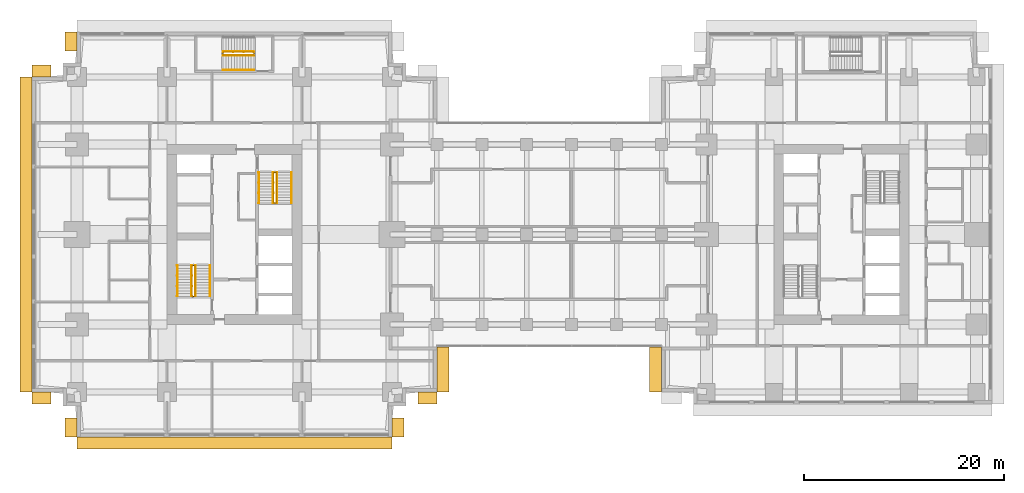
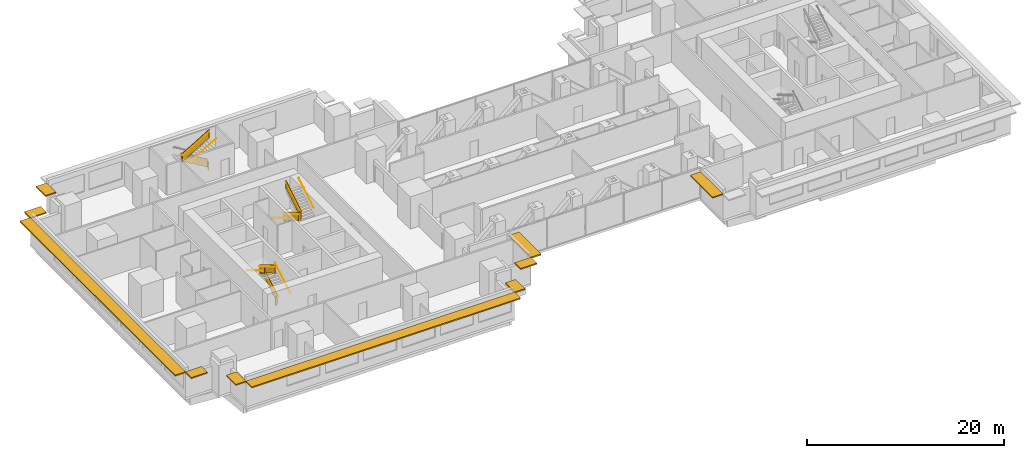
# One storey, part 14 of 16: 14 railings, 10 shading devices.
"""IFC4 building model written with IfcOpenShell, lengths in metres."""

from ifc_helpers import new_model, si_unit, direction, frame, origin, origin_2d, place, context, subcontext, project, spatial, polyline, rectangle, circle, outline, extrude, material, layer, layer_set, type_object, element, save


model = new_model("IFC4")

# Units and contexts
model_context = context("Model", 3, precision=1e-05, world=origin(), true_north=direction((0.0, 1.0)))
body_context = subcontext(model_context, "Body", "Model", "MODEL_VIEW")
ifc_project = project(units=[si_unit("LENGTHUNIT", "METRE"), si_unit("AREAUNIT", "SQUARE_METRE"), si_unit("VOLUMEUNIT", "CUBIC_METRE"), si_unit("PLANEANGLEUNIT", "RADIAN"), si_unit("MASSUNIT", "GRAM", prefix="KILO")], contexts=[model_context])

# Site, building, storey
site_placement = place(None, origin())
site = spatial("IfcSite", under=ifc_project, at=site_placement, CompositionType="ELEMENT")
building_placement = place(site_placement, origin())
building = spatial("IfcBuilding", under=site, at=building_placement, Name="Namib Vertical Campus", CompositionType="ELEMENT")
storey_placement = place(building_placement, frame((0.0, 0.0, 129.0)))
storey = spatial("IfcBuildingStorey", under=building, at=storey_placement, Name="L30", CompositionType="ELEMENT", Elevation=129.0)

# Railings
ifc_material_1 = material(Name="Steel handrail", Category="steel")
railing_type_1 = type_object("IfcRailingType", Name="Handrail 900", PredefinedType="HANDRAIL", material=ifc_material_1)
railing_1_placement = place(storey_placement, frame((17.800048828125, 14.050048828125, 0.166748046875)))
element("IfcRailing", 1, at=railing_1_placement, inside=storey, type_object=railing_type_1, Name="Handrail HR1 A-S1 L30 1", PredefinedType="HANDRAIL", context=body_context, shape_type="SweptSolid", body=[
    extrude(circle(Radius=0.02392578125, at=origin_2d()), frame((0.0, 0.0, 0.8759765625), z_axis=(0.0, 0.859290745958, 0.51148745235), x_axis=(-1.0, 0.0, 0.0)), (0.0, 0.0, 1.0), 3.584228515625),
    extrude(circle(Radius=0.008056640625, at=origin_2d()), frame((0.0, 0.0, 0.8759765625), z_axis=(1.0, 0.0, 0.0), x_axis=(0.0, 0.0, 1.0)), (0.0, 0.0, 1.0), 0.050048828125),
    extrude(circle(Radius=0.008056640625, at=origin_2d()), frame((0.0, 1.026611328125, 1.48681640625), z_axis=(1.0, 0.0, 0.0), x_axis=(0.0, 0.0, 1.0)), (0.0, 0.0, 1.0), 0.050048828125),
    extrude(circle(Radius=0.008056640625, at=origin_2d()), frame((0.0, 2.05322265625, 2.09814453125), z_axis=(1.0, 0.0, 0.0), x_axis=(0.0, 0.0, 1.0)), (0.0, 0.0, 1.0), 0.050048828125),
    extrude(circle(Radius=0.008056640625, at=origin_2d()), frame((0.0, 3.079833984375, 2.708984375), z_axis=(1.0, 0.0, 0.0), x_axis=(0.0, 0.0, 1.0)), (0.0, 0.0, 1.0), 0.050048828125),
])
railing_2_placement = place(storey_placement, frame((14.550048828125, 17.1298828125, 2.166748046875)))
element("IfcRailing", 2, at=railing_2_placement, inside=storey, type_object=railing_type_1, Name="Handrail HR1 A-S1 L30 2", PredefinedType="HANDRAIL", context=body_context, shape_type="SweptSolid", body=[
    extrude(circle(Radius=0.02392578125, at=origin_2d()), frame((0.0, 0.0, 0.8759765625), z_axis=(0.0, -0.859290745958, 0.51148745235), x_axis=(1.0, 0.0, 0.0)), (0.0, 0.0, 1.0), 3.584228515625),
    extrude(circle(Radius=0.008056640625, at=origin_2d()), frame((0.0, 0.0, 0.8759765625), z_axis=(-1.0, 0.0, 0.0), x_axis=(0.0, 0.0, 1.0)), (0.0, 0.0, 1.0), 0.050048828125),
    extrude(circle(Radius=0.008056640625, at=origin_2d()), frame((0.0, -1.026611328125, 1.48681640625), z_axis=(-1.0, 0.0, 0.0), x_axis=(0.0, 0.0, 1.0)), (0.0, 0.0, 1.0), 0.050048828125),
    extrude(circle(Radius=0.008056640625, at=origin_2d()), frame((0.0, -2.05322265625, 2.09814453125), z_axis=(-1.0, 0.0, 0.0), x_axis=(0.0, 0.0, 1.0)), (0.0, 0.0, 1.0), 0.050048828125),
    extrude(circle(Radius=0.008056640625, at=origin_2d()), frame((0.0, -3.079833984375, 2.708984375), z_axis=(-1.0, 0.0, 0.0), x_axis=(0.0, 0.0, 1.0)), (0.0, 0.0, 1.0), 0.050048828125),
])
railing_3_placement = place(storey_placement, frame((16.375, 14.050048828125, 0.166748046875)))
element("IfcRailing", 3, at=railing_3_placement, inside=storey, type_object=railing_type_1, Name="Handrail HR1 A-S1 L30 1 at the well", PredefinedType="HANDRAIL", context=body_context, shape_type="SweptSolid", body=[
    extrude(circle(Radius=0.02392578125, at=origin_2d()), frame((0.0, 0.0, 0.8759765625), z_axis=(0.0, 0.859290745958, 0.51148745235), x_axis=(-1.0, 0.0, 0.0)), (0.0, 0.0, 1.0), 3.584228515625),
    extrude(circle(Radius=0.008056640625, at=origin_2d()), frame((0.0, 0.0, 0.8759765625), z_axis=(-1.0, 0.0, 0.0), x_axis=(0.0, 0.0, 1.0)), (0.0, 0.0, 1.0), 0.0400390625),
    extrude(circle(Radius=0.008056640625, at=origin_2d()), frame((0.0, 1.026611328125, 1.48681640625), z_axis=(-1.0, 0.0, 0.0), x_axis=(0.0, 0.0, 1.0)), (0.0, 0.0, 1.0), 0.0400390625),
    extrude(circle(Radius=0.008056640625, at=origin_2d()), frame((0.0, 2.05322265625, 2.09814453125), z_axis=(-1.0, 0.0, 0.0), x_axis=(0.0, 0.0, 1.0)), (0.0, 0.0, 1.0), 0.0400390625),
    extrude(circle(Radius=0.008056640625, at=origin_2d()), frame((0.0, 3.079833984375, 2.708984375), z_axis=(-1.0, 0.0, 0.0), x_axis=(0.0, 0.0, 1.0)), (0.0, 0.0, 1.0), 0.0400390625),
])
railing_4_placement = place(storey_placement, frame((15.97509765625, 17.1298828125, 2.166748046875)))
element("IfcRailing", 4, at=railing_4_placement, inside=storey, type_object=railing_type_1, Name="Handrail HR1 A-S1 L30 2 at the well", PredefinedType="HANDRAIL", context=body_context, shape_type="SweptSolid", body=[
    extrude(circle(Radius=0.02392578125, at=origin_2d()), frame((0.0, 0.0, 0.8759765625), z_axis=(0.0, -0.859290745958, 0.51148745235), x_axis=(1.0, 0.0, 0.0)), (0.0, 0.0, 1.0), 3.584228515625),
    extrude(circle(Radius=0.008056640625, at=origin_2d()), frame((0.0, 0.0, 0.8759765625), z_axis=(1.0, 0.0, 0.0), x_axis=(0.0, 0.0, 1.0)), (0.0, 0.0, 1.0), 0.0400390625),
    extrude(circle(Radius=0.008056640625, at=origin_2d()), frame((0.0, -1.026611328125, 1.48681640625), z_axis=(1.0, 0.0, 0.0), x_axis=(0.0, 0.0, 1.0)), (0.0, 0.0, 1.0), 0.0400390625),
    extrude(circle(Radius=0.008056640625, at=origin_2d()), frame((0.0, -2.05322265625, 2.09814453125), z_axis=(1.0, 0.0, 0.0), x_axis=(0.0, 0.0, 1.0)), (0.0, 0.0, 1.0), 0.0400390625),
    extrude(circle(Radius=0.008056640625, at=origin_2d()), frame((0.0, -3.079833984375, 2.708984375), z_axis=(1.0, 0.0, 0.0), x_axis=(0.0, 0.0, 1.0)), (0.0, 0.0, 1.0), 0.0400390625),
])
railing_5_placement = place(storey_placement, frame((22.699951171875, 26.449951171875, 0.166748046875)))
element("IfcRailing", 5, at=railing_5_placement, inside=storey, type_object=railing_type_1, Name="Handrail HR1 A-S2 L30 1", PredefinedType="HANDRAIL", context=body_context, shape_type="SweptSolid", body=[
    extrude(circle(Radius=0.02392578125, at=origin_2d()), frame((0.0, 0.0, 0.8759765625), z_axis=(0.0, -0.859290745958, 0.51148745235), x_axis=(1.0, 0.0, 0.0)), (0.0, 0.0, 1.0), 3.584228515625),
    extrude(circle(Radius=0.008056640625, at=origin_2d()), frame((0.0, 0.0, 0.8759765625), z_axis=(-1.0, 0.0, 0.0), x_axis=(0.0, 0.0, 1.0)), (0.0, 0.0, 1.0), 0.050048828125),
    extrude(circle(Radius=0.008056640625, at=origin_2d()), frame((0.0, -1.026611328125, 1.48681640625), z_axis=(-1.0, 0.0, 0.0), x_axis=(0.0, 0.0, 1.0)), (0.0, 0.0, 1.0), 0.050048828125),
    extrude(circle(Radius=0.008056640625, at=origin_2d()), frame((0.0, -2.05322265625, 2.09814453125), z_axis=(-1.0, 0.0, 0.0), x_axis=(0.0, 0.0, 1.0)), (0.0, 0.0, 1.0), 0.050048828125),
    extrude(circle(Radius=0.008056640625, at=origin_2d()), frame((0.0, -3.079833984375, 2.708984375), z_axis=(-1.0, 0.0, 0.0), x_axis=(0.0, 0.0, 1.0)), (0.0, 0.0, 1.0), 0.050048828125),
])
railing_6_placement = place(storey_placement, frame((25.949951171875, 23.3701171875, 2.166748046875)))
element("IfcRailing", 6, at=railing_6_placement, inside=storey, type_object=railing_type_1, Name="Handrail HR1 A-S2 L30 2", PredefinedType="HANDRAIL", context=body_context, shape_type="SweptSolid", body=[
    extrude(circle(Radius=0.02392578125, at=origin_2d()), frame((0.0, 0.0, 0.8759765625), z_axis=(0.0, 0.859290745958, 0.51148745235), x_axis=(-1.0, 0.0, 0.0)), (0.0, 0.0, 1.0), 3.584228515625),
    extrude(circle(Radius=0.008056640625, at=origin_2d()), frame((0.0, 0.0, 0.8759765625), z_axis=(1.0, 0.0, 0.0), x_axis=(0.0, 0.0, 1.0)), (0.0, 0.0, 1.0), 0.050048828125),
    extrude(circle(Radius=0.008056640625, at=origin_2d()), frame((0.0, 1.026611328125, 1.48681640625), z_axis=(1.0, 0.0, 0.0), x_axis=(0.0, 0.0, 1.0)), (0.0, 0.0, 1.0), 0.050048828125),
    extrude(circle(Radius=0.008056640625, at=origin_2d()), frame((0.0, 2.05322265625, 2.09814453125), z_axis=(1.0, 0.0, 0.0), x_axis=(0.0, 0.0, 1.0)), (0.0, 0.0, 1.0), 0.050048828125),
    extrude(circle(Radius=0.008056640625, at=origin_2d()), frame((0.0, 3.079833984375, 2.708984375), z_axis=(1.0, 0.0, 0.0), x_axis=(0.0, 0.0, 1.0)), (0.0, 0.0, 1.0), 0.050048828125),
])
railing_7_placement = place(storey_placement, frame((24.125, 26.449951171875, 0.166748046875)))
element("IfcRailing", 7, at=railing_7_placement, inside=storey, type_object=railing_type_1, Name="Handrail HR1 A-S2 L30 1 at the well", PredefinedType="HANDRAIL", context=body_context, shape_type="SweptSolid", body=[
    extrude(circle(Radius=0.02392578125, at=origin_2d()), frame((0.0, 0.0, 0.8759765625), z_axis=(0.0, -0.859290745958, 0.51148745235), x_axis=(1.0, 0.0, 0.0)), (0.0, 0.0, 1.0), 3.584228515625),
    extrude(circle(Radius=0.008056640625, at=origin_2d()), frame((0.0, 0.0, 0.8759765625), z_axis=(1.0, 0.0, 0.0), x_axis=(0.0, 0.0, 1.0)), (0.0, 0.0, 1.0), 0.0400390625),
    extrude(circle(Radius=0.008056640625, at=origin_2d()), frame((0.0, -1.026611328125, 1.48681640625), z_axis=(1.0, 0.0, 0.0), x_axis=(0.0, 0.0, 1.0)), (0.0, 0.0, 1.0), 0.0400390625),
    extrude(circle(Radius=0.008056640625, at=origin_2d()), frame((0.0, -2.05322265625, 2.09814453125), z_axis=(1.0, 0.0, 0.0), x_axis=(0.0, 0.0, 1.0)), (0.0, 0.0, 1.0), 0.0400390625),
    extrude(circle(Radius=0.008056640625, at=origin_2d()), frame((0.0, -3.079833984375, 2.708984375), z_axis=(1.0, 0.0, 0.0), x_axis=(0.0, 0.0, 1.0)), (0.0, 0.0, 1.0), 0.0400390625),
])
railing_8_placement = place(storey_placement, frame((24.52490234375, 23.3701171875, 2.166748046875)))
element("IfcRailing", 8, at=railing_8_placement, inside=storey, type_object=railing_type_1, Name="Handrail HR1 A-S2 L30 2 at the well", PredefinedType="HANDRAIL", context=body_context, shape_type="SweptSolid", body=[
    extrude(circle(Radius=0.02392578125, at=origin_2d()), frame((0.0, 0.0, 0.8759765625), z_axis=(0.0, 0.859290745958, 0.51148745235), x_axis=(-1.0, 0.0, 0.0)), (0.0, 0.0, 1.0), 3.584228515625),
    extrude(circle(Radius=0.008056640625, at=origin_2d()), frame((0.0, 0.0, 0.8759765625), z_axis=(-1.0, 0.0, 0.0), x_axis=(0.0, 0.0, 1.0)), (0.0, 0.0, 1.0), 0.0400390625),
    extrude(circle(Radius=0.008056640625, at=origin_2d()), frame((0.0, 1.026611328125, 1.48681640625), z_axis=(-1.0, 0.0, 0.0), x_axis=(0.0, 0.0, 1.0)), (0.0, 0.0, 1.0), 0.0400390625),
    extrude(circle(Radius=0.008056640625, at=origin_2d()), frame((0.0, 2.05322265625, 2.09814453125), z_axis=(-1.0, 0.0, 0.0), x_axis=(0.0, 0.0, 1.0)), (0.0, 0.0, 1.0), 0.0400390625),
    extrude(circle(Radius=0.008056640625, at=origin_2d()), frame((0.0, 3.079833984375, 2.708984375), z_axis=(-1.0, 0.0, 0.0), x_axis=(0.0, 0.0, 1.0)), (0.0, 0.0, 1.0), 0.0400390625),
])
railing_9_placement = place(storey_placement, frame((19.1201171875, 36.699951171875, 2.166748046875)))
element("IfcRailing", 9, at=railing_9_placement, inside=storey, type_object=railing_type_1, Name="Handrail HR1 A-S3 L30 2", PredefinedType="HANDRAIL", context=body_context, shape_type="SweptSolid", body=[
    extrude(circle(Radius=0.02392578125, at=origin_2d()), frame((0.0, 0.0, 0.8759765625), z_axis=(0.859290745958, 0.0, 0.51148745235), x_axis=(0.0, 1.0, 0.0)), (0.0, 0.0, 1.0), 3.584228515625),
    extrude(circle(Radius=0.008056640625, at=origin_2d()), frame((0.0, 0.0, 0.8759765625), z_axis=(0.0, -1.0, 0.0), x_axis=(0.0, 0.0, 1.0)), (0.0, 0.0, 1.0), 0.050048828125),
    extrude(circle(Radius=0.008056640625, at=origin_2d()), frame((1.026611328125, 0.0, 1.48681640625), z_axis=(0.0, -1.0, 0.0), x_axis=(0.0, 0.0, 1.0)), (0.0, 0.0, 1.0), 0.050048828125),
    extrude(circle(Radius=0.008056640625, at=origin_2d()), frame((2.05322265625, 0.0, 2.09814453125), z_axis=(0.0, -1.0, 0.0), x_axis=(0.0, 0.0, 1.0)), (0.0, 0.0, 1.0), 0.050048828125),
    extrude(circle(Radius=0.008056640625, at=origin_2d()), frame((3.079833984375, 0.0, 2.708984375), z_axis=(0.0, -1.0, 0.0), x_axis=(0.0, 0.0, 1.0)), (0.0, 0.0, 1.0), 0.050048828125),
])
railing_10_placement = place(storey_placement, frame((22.199951171875, 38.52490234375, 0.166748046875)))
element("IfcRailing", 10, at=railing_10_placement, inside=storey, type_object=railing_type_1, Name="Handrail HR1 A-S3 L30 1 at the well", PredefinedType="HANDRAIL", context=body_context, shape_type="SweptSolid", body=[
    extrude(circle(Radius=0.02392578125, at=origin_2d()), frame((0.0, 0.0, 0.8759765625), z_axis=(-0.859290745958, 0.0, 0.51148745235), x_axis=(0.0, -1.0, 0.0)), (0.0, 0.0, 1.0), 3.584228515625),
    extrude(circle(Radius=0.008056640625, at=origin_2d()), frame((0.0, 0.0, 0.8759765625), z_axis=(0.0, -1.0, 0.0), x_axis=(0.0, 0.0, 1.0)), (0.0, 0.0, 1.0), 0.0400390625),
    extrude(circle(Radius=0.008056640625, at=origin_2d()), frame((-1.026611328125, 0.0, 1.48681640625), z_axis=(0.0, -1.0, 0.0), x_axis=(0.0, 0.0, 1.0)), (0.0, 0.0, 1.0), 0.0400390625),
    extrude(circle(Radius=0.008056640625, at=origin_2d()), frame((-2.05322265625, 0.0, 2.09814453125), z_axis=(0.0, -1.0, 0.0), x_axis=(0.0, 0.0, 1.0)), (0.0, 0.0, 1.0), 0.0400390625),
    extrude(circle(Radius=0.008056640625, at=origin_2d()), frame((-3.079833984375, 0.0, 2.708984375), z_axis=(0.0, -1.0, 0.0), x_axis=(0.0, 0.0, 1.0)), (0.0, 0.0, 1.0), 0.0400390625),
])
railing_11_placement = place(storey_placement, frame((19.1201171875, 38.125, 2.166748046875)))
element("IfcRailing", 11, at=railing_11_placement, inside=storey, type_object=railing_type_1, Name="Handrail HR1 A-S3 L30 2 at the well", PredefinedType="HANDRAIL", context=body_context, shape_type="SweptSolid", body=[
    extrude(circle(Radius=0.02392578125, at=origin_2d()), frame((0.0, 0.0, 0.8759765625), z_axis=(0.859290745958, 0.0, 0.51148745235), x_axis=(0.0, 1.0, 0.0)), (0.0, 0.0, 1.0), 3.584228515625),
    extrude(circle(Radius=0.008056640625, at=origin_2d()), frame((0.0, 0.0, 0.8759765625), z_axis=(0.0, 1.0, 0.0), x_axis=(0.0, 0.0, 1.0)), (0.0, 0.0, 1.0), 0.0400390625),
    extrude(circle(Radius=0.008056640625, at=origin_2d()), frame((1.026611328125, 0.0, 1.48681640625), z_axis=(0.0, 1.0, 0.0), x_axis=(0.0, 0.0, 1.0)), (0.0, 0.0, 1.0), 0.0400390625),
    extrude(circle(Radius=0.008056640625, at=origin_2d()), frame((2.05322265625, 0.0, 2.09814453125), z_axis=(0.0, 1.0, 0.0), x_axis=(0.0, 0.0, 1.0)), (0.0, 0.0, 1.0), 0.0400390625),
    extrude(circle(Radius=0.008056640625, at=origin_2d()), frame((3.079833984375, 0.0, 2.708984375), z_axis=(0.0, 1.0, 0.0), x_axis=(0.0, 0.0, 1.0)), (0.0, 0.0, 1.0), 0.0400390625),
])
ifc_material_2 = material(Name="Steel balustrade", Category="steel")
railing_type_2 = type_object("IfcRailingType", Name="Stair guard 1100", PredefinedType="GUARDRAIL", material=ifc_material_2)
railing_12_placement = place(storey_placement, frame((16.02490234375, 14.050048828125, 0.0)))
element("IfcRailing", 12, at=railing_12_placement, inside=storey, type_object=railing_type_2, Name="Stair guard GR1 A-S1 L30", PredefinedType="GUARDRAIL", context=body_context, shape_type="SweptSolid", body=[
    extrude(circle(Radius=0.02392578125, at=origin_2d()), frame((0.0, 0.0, 1.076171875), z_axis=(1.0, 0.0, 0.0), x_axis=(0.0, 1.0, 0.0)), (0.0, 0.0, 1.0), 0.300048828125),
    extrude(outline(polyline([(0.02099609375, 0.050048828125), (0.279052734375, 0.050048828125), (0.279052734375, 1.052001953125), (0.02099609375, 1.052001953125), (0.02099609375, 0.050048828125)])), frame((0.0, 0.010009765625, 0.0), z_axis=(0.0, -1.0, 0.0), x_axis=(1.0, 0.0, 0.0)), (0.0, 0.0, 1.0), 0.02001953125),
    extrude(circle(Radius=0.02392578125, at=origin_2d()), frame((0.300048828125, 0.0, 1.076171875), z_axis=(0.0, 0.0, 1.0), x_axis=(1.0, 0.0, 0.0)), (0.0, 0.0, 1.0), 0.166748046875),
    extrude(circle(Radius=0.02392578125, at=origin_2d()), frame((0.300048828125, 0.0, 1.24267578125), z_axis=(0.0, 0.859290745958, 0.51148745235), x_axis=(-1.0, 0.0, 0.0)), (0.0, 0.0, 1.0), 3.584228515625),
    extrude(outline(polyline([(0.02099609375, 0.0625), (3.058837890625, 1.870849609375), (3.058837890625, 2.872802734375), (0.02099609375, 1.064453125), (0.02099609375, 0.0625)])), frame((0.2900390625, 0.0, 0.166748046875), z_axis=(1.0, 0.0, 0.0), x_axis=(0.0, 1.0, 0.0)), (0.0, 0.0, 1.0), 0.02001953125),
    extrude(circle(Radius=0.02392578125, at=origin_2d()), frame((0.300048828125, 3.079833984375, 3.076171875), z_axis=(-1.0, 0.0, 0.0), x_axis=(0.0, -1.0, 0.0)), (0.0, 0.0, 1.0), 0.300048828125),
    extrude(outline(polyline([(0.02099609375, 0.050048828125), (0.279052734375, 0.050048828125), (0.279052734375, 1.052001953125), (0.02099609375, 1.052001953125), (0.02099609375, 0.050048828125)])), frame((0.300048828125, 3.06982421875, 2.0), z_axis=(0.0, 1.0, 0.0), x_axis=(-1.0, 0.0, 0.0)), (0.0, 0.0, 1.0), 0.02001953125),
    extrude(circle(Radius=0.02392578125, at=origin_2d()), frame((0.0, 3.079833984375, 3.076171875), z_axis=(0.0, 0.0, 1.0), x_axis=(1.0, 0.0, 0.0)), (0.0, 0.0, 1.0), 0.166748046875),
    extrude(circle(Radius=0.02392578125, at=origin_2d()), frame((0.0, 3.079833984375, 3.24267578125), z_axis=(0.0, -0.859290745958, 0.51148745235), x_axis=(1.0, 0.0, 0.0)), (0.0, 0.0, 1.0), 3.584228515625),
    extrude(outline(polyline([(0.02099609375, 0.0625), (3.058837890625, 1.870849609375), (3.058837890625, 2.872802734375), (0.02099609375, 1.064453125), (0.02099609375, 0.0625)])), frame((0.010009765625, 3.079833984375, 2.166748046875), z_axis=(-1.0, 0.0, 0.0), x_axis=(0.0, -1.0, 0.0)), (0.0, 0.0, 1.0), 0.02001953125),
    extrude(circle(Radius=0.02392578125, at=origin_2d()), frame((0.0, 0.0, 5.076171875), z_axis=(0.0, -1.0, 0.0), x_axis=(1.0, 0.0, 0.0)), (0.0, 0.0, 1.0), 0.050048828125),
    extrude(outline(polyline([(0.02099609375, 0.050048828125), (0.029052734375, 0.050048828125), (0.029052734375, 1.052001953125), (0.02099609375, 1.052001953125), (0.02099609375, 0.050048828125)])), frame((0.010009765625, 0.0, 4.0), z_axis=(-1.0, 0.0, 0.0), x_axis=(0.0, -1.0, 0.0)), (0.0, 0.0, 1.0), 0.02001953125),
    extrude(circle(Radius=0.02099609375, at=origin_2d()), origin(), (0.0, 0.0, 1.0), 1.052001953125),
    extrude(circle(Radius=0.02099609375, at=origin_2d()), frame((0.300048828125, 0.0, 0.166748046875)), (0.0, 0.0, 1.0), 1.052001953125),
    extrude(circle(Radius=0.02099609375, at=origin_2d()), frame((0.300048828125, 1.026611328125, 0.666748046875)), (0.0, 0.0, 1.0), 1.1630859375),
    extrude(circle(Radius=0.02099609375, at=origin_2d()), frame((0.300048828125, 2.05322265625, 1.33349609375)), (0.0, 0.0, 1.0), 1.107421875),
    extrude(circle(Radius=0.02099609375, at=origin_2d()), frame((0.300048828125, 3.079833984375, 2.0)), (0.0, 0.0, 1.0), 1.052001953125),
    extrude(circle(Radius=0.02099609375, at=origin_2d()), frame((0.0, 3.079833984375, 2.166748046875)), (0.0, 0.0, 1.0), 1.052001953125),
    extrude(circle(Radius=0.02099609375, at=origin_2d()), frame((0.0, 2.05322265625, 2.666748046875)), (0.0, 0.0, 1.0), 1.1630859375),
    extrude(circle(Radius=0.02099609375, at=origin_2d()), frame((0.0, 1.026611328125, 3.33349609375)), (0.0, 0.0, 1.0), 1.107421875),
    extrude(circle(Radius=0.02099609375, at=origin_2d()), frame((0.0, 0.0, 4.0)), (0.0, 0.0, 1.0), 1.052001953125),
    extrude(circle(Radius=0.02099609375, at=origin_2d()), frame((0.0, -0.050048828125, 4.0)), (0.0, 0.0, 1.0), 1.052001953125),
])
railing_13_placement = place(storey_placement, frame((24.47509765625, 26.449951171875, 0.0)))
element("IfcRailing", 13, at=railing_13_placement, inside=storey, type_object=railing_type_2, Name="Stair guard GR1 A-S2 L30", PredefinedType="GUARDRAIL", context=body_context, shape_type="SweptSolid", body=[
    extrude(circle(Radius=0.02392578125, at=origin_2d()), frame((0.0, 0.0, 1.076171875), z_axis=(-1.0, 0.0, 0.0), x_axis=(0.0, -1.0, 0.0)), (0.0, 0.0, 1.0), 0.300048828125),
    extrude(outline(polyline([(0.02099609375, 0.050048828125), (0.279052734375, 0.050048828125), (0.279052734375, 1.052001953125), (0.02099609375, 1.052001953125), (0.02099609375, 0.050048828125)])), frame((0.0, -0.010009765625, 0.0), z_axis=(0.0, 1.0, 0.0), x_axis=(-1.0, 0.0, 0.0)), (0.0, 0.0, 1.0), 0.02001953125),
    extrude(circle(Radius=0.02392578125, at=origin_2d()), frame((-0.300048828125, 0.0, 1.076171875), z_axis=(0.0, 0.0, 1.0), x_axis=(1.0, 0.0, 0.0)), (0.0, 0.0, 1.0), 0.166748046875),
    extrude(circle(Radius=0.02392578125, at=origin_2d()), frame((-0.300048828125, 0.0, 1.24267578125), z_axis=(0.0, -0.859290745958, 0.51148745235), x_axis=(1.0, 0.0, 0.0)), (0.0, 0.0, 1.0), 3.584228515625),
    extrude(outline(polyline([(0.02099609375, 0.0625), (3.058837890625, 1.870849609375), (3.058837890625, 2.872802734375), (0.02099609375, 1.064453125), (0.02099609375, 0.0625)])), frame((-0.2900390625, 0.0, 0.166748046875), z_axis=(-1.0, 0.0, 0.0), x_axis=(0.0, -1.0, 0.0)), (0.0, 0.0, 1.0), 0.02001953125),
    extrude(circle(Radius=0.02392578125, at=origin_2d()), frame((-0.300048828125, -3.079833984375, 3.076171875), z_axis=(1.0, 0.0, 0.0), x_axis=(0.0, 1.0, 0.0)), (0.0, 0.0, 1.0), 0.300048828125),
    extrude(outline(polyline([(0.02099609375, 0.050048828125), (0.279052734375, 0.050048828125), (0.279052734375, 1.052001953125), (0.02099609375, 1.052001953125), (0.02099609375, 0.050048828125)])), frame((-0.300048828125, -3.06982421875, 2.0), z_axis=(0.0, -1.0, 0.0), x_axis=(1.0, 0.0, 0.0)), (0.0, 0.0, 1.0), 0.02001953125),
    extrude(circle(Radius=0.02392578125, at=origin_2d()), frame((0.0, -3.079833984375, 3.076171875), z_axis=(0.0, 0.0, 1.0), x_axis=(1.0, 0.0, 0.0)), (0.0, 0.0, 1.0), 0.166748046875),
    extrude(circle(Radius=0.02392578125, at=origin_2d()), frame((0.0, -3.079833984375, 3.24267578125), z_axis=(0.0, 0.859290745958, 0.51148745235), x_axis=(-1.0, 0.0, 0.0)), (0.0, 0.0, 1.0), 3.584228515625),
    extrude(outline(polyline([(0.02099609375, 0.0625), (3.058837890625, 1.870849609375), (3.058837890625, 2.872802734375), (0.02099609375, 1.064453125), (0.02099609375, 0.0625)])), frame((-0.010009765625, -3.079833984375, 2.166748046875), z_axis=(1.0, 0.0, 0.0), x_axis=(0.0, 1.0, 0.0)), (0.0, 0.0, 1.0), 0.02001953125),
    extrude(circle(Radius=0.02392578125, at=origin_2d()), frame((0.0, 0.0, 5.076171875), z_axis=(0.0, 1.0, 0.0), x_axis=(-1.0, 0.0, 0.0)), (0.0, 0.0, 1.0), 0.050048828125),
    extrude(outline(polyline([(0.02099609375, 0.050048828125), (0.029052734375, 0.050048828125), (0.029052734375, 1.052001953125), (0.02099609375, 1.052001953125), (0.02099609375, 0.050048828125)])), frame((-0.010009765625, 0.0, 4.0), z_axis=(1.0, 0.0, 0.0), x_axis=(0.0, 1.0, 0.0)), (0.0, 0.0, 1.0), 0.02001953125),
    extrude(circle(Radius=0.02099609375, at=origin_2d()), origin(), (0.0, 0.0, 1.0), 1.052001953125),
    extrude(circle(Radius=0.02099609375, at=origin_2d()), frame((-0.300048828125, 0.0, 0.166748046875)), (0.0, 0.0, 1.0), 1.052001953125),
    extrude(circle(Radius=0.02099609375, at=origin_2d()), frame((-0.300048828125, -1.026611328125, 0.666748046875)), (0.0, 0.0, 1.0), 1.1630859375),
    extrude(circle(Radius=0.02099609375, at=origin_2d()), frame((-0.300048828125, -2.05322265625, 1.33349609375)), (0.0, 0.0, 1.0), 1.107421875),
    extrude(circle(Radius=0.02099609375, at=origin_2d()), frame((-0.300048828125, -3.079833984375, 2.0)), (0.0, 0.0, 1.0), 1.052001953125),
    extrude(circle(Radius=0.02099609375, at=origin_2d()), frame((0.0, -3.079833984375, 2.166748046875)), (0.0, 0.0, 1.0), 1.052001953125),
    extrude(circle(Radius=0.02099609375, at=origin_2d()), frame((0.0, -2.05322265625, 2.666748046875)), (0.0, 0.0, 1.0), 1.1630859375),
    extrude(circle(Radius=0.02099609375, at=origin_2d()), frame((0.0, -1.026611328125, 3.33349609375)), (0.0, 0.0, 1.0), 1.107421875),
    extrude(circle(Radius=0.02099609375, at=origin_2d()), frame((0.0, 0.0, 4.0)), (0.0, 0.0, 1.0), 1.052001953125),
    extrude(circle(Radius=0.02099609375, at=origin_2d()), frame((0.0, 0.050048828125, 4.0)), (0.0, 0.0, 1.0), 1.052001953125),
])
railing_14_placement = place(storey_placement, frame((22.199951171875, 38.175048828125, 0.0)))
element("IfcRailing", 14, at=railing_14_placement, inside=storey, type_object=railing_type_2, Name="Stair guard GR1 A-S3 L30", PredefinedType="GUARDRAIL", context=body_context, shape_type="SweptSolid", body=[
    extrude(circle(Radius=0.02392578125, at=origin_2d()), frame((0.0, 0.0, 1.076171875), z_axis=(0.0, 1.0, 0.0), x_axis=(-1.0, 0.0, 0.0)), (0.0, 0.0, 1.0), 0.300048828125),
    extrude(outline(polyline([(0.02099609375, 0.050048828125), (0.279052734375, 0.050048828125), (0.279052734375, 1.052001953125), (0.02099609375, 1.052001953125), (0.02099609375, 0.050048828125)])), frame((-0.010009765625, 0.0, 0.0), z_axis=(1.0, 0.0, 0.0), x_axis=(0.0, 1.0, 0.0)), (0.0, 0.0, 1.0), 0.02001953125),
    extrude(circle(Radius=0.02392578125, at=origin_2d()), frame((0.0, 0.300048828125, 1.076171875), z_axis=(0.0, 0.0, 1.0), x_axis=(1.0, 0.0, 0.0)), (0.0, 0.0, 1.0), 0.166748046875),
    extrude(circle(Radius=0.02392578125, at=origin_2d()), frame((0.0, 0.300048828125, 1.24267578125), z_axis=(-0.859290745958, 0.0, 0.51148745235), x_axis=(0.0, -1.0, 0.0)), (0.0, 0.0, 1.0), 3.584228515625),
    extrude(outline(polyline([(0.02099609375, 0.0625), (3.058837890625, 1.870849609375), (3.058837890625, 2.872802734375), (0.02099609375, 1.064453125), (0.02099609375, 0.0625)])), frame((0.0, 0.2900390625, 0.166748046875), z_axis=(0.0, 1.0, 0.0), x_axis=(-1.0, 0.0, 0.0)), (0.0, 0.0, 1.0), 0.02001953125),
    extrude(circle(Radius=0.02392578125, at=origin_2d()), frame((-3.079833984375, 0.300048828125, 3.076171875), z_axis=(0.0, -1.0, 0.0), x_axis=(1.0, 0.0, 0.0)), (0.0, 0.0, 1.0), 0.300048828125),
    extrude(outline(polyline([(0.02099609375, 0.050048828125), (0.279052734375, 0.050048828125), (0.279052734375, 1.052001953125), (0.02099609375, 1.052001953125), (0.02099609375, 0.050048828125)])), frame((-3.06982421875, 0.300048828125, 2.0), z_axis=(-1.0, 0.0, 0.0), x_axis=(0.0, -1.0, 0.0)), (0.0, 0.0, 1.0), 0.02001953125),
    extrude(circle(Radius=0.02392578125, at=origin_2d()), frame((-3.079833984375, 0.0, 3.076171875), z_axis=(0.0, 0.0, 1.0), x_axis=(1.0, 0.0, 0.0)), (0.0, 0.0, 1.0), 0.166748046875),
    extrude(circle(Radius=0.02392578125, at=origin_2d()), frame((-3.079833984375, 0.0, 3.24267578125), z_axis=(0.859290745958, 0.0, 0.51148745235), x_axis=(0.0, 1.0, 0.0)), (0.0, 0.0, 1.0), 3.584228515625),
    extrude(outline(polyline([(0.02099609375, 0.0625), (3.058837890625, 1.870849609375), (3.058837890625, 2.872802734375), (0.02099609375, 1.064453125), (0.02099609375, 0.0625)])), frame((-3.079833984375, 0.010009765625, 2.166748046875), z_axis=(0.0, -1.0, 0.0), x_axis=(1.0, 0.0, 0.0)), (0.0, 0.0, 1.0), 0.02001953125),
    extrude(circle(Radius=0.02392578125, at=origin_2d()), frame((0.0, 0.0, 5.076171875), z_axis=(1.0, 0.0, 0.0), x_axis=(0.0, 1.0, 0.0)), (0.0, 0.0, 1.0), 0.050048828125),
    extrude(outline(polyline([(0.02099609375, 0.050048828125), (0.029052734375, 0.050048828125), (0.029052734375, 1.052001953125), (0.02099609375, 1.052001953125), (0.02099609375, 0.050048828125)])), frame((0.0, 0.010009765625, 4.0), z_axis=(0.0, -1.0, 0.0), x_axis=(1.0, 0.0, 0.0)), (0.0, 0.0, 1.0), 0.02001953125),
    extrude(circle(Radius=0.02099609375, at=origin_2d()), origin(), (0.0, 0.0, 1.0), 1.052001953125),
    extrude(circle(Radius=0.02099609375, at=origin_2d()), frame((0.0, 0.300048828125, 0.166748046875)), (0.0, 0.0, 1.0), 1.052001953125),
    extrude(circle(Radius=0.02099609375, at=origin_2d()), frame((-1.026611328125, 0.300048828125, 0.666748046875)), (0.0, 0.0, 1.0), 1.1630859375),
    extrude(circle(Radius=0.02099609375, at=origin_2d()), frame((-2.05322265625, 0.300048828125, 1.33349609375)), (0.0, 0.0, 1.0), 1.107421875),
    extrude(circle(Radius=0.02099609375, at=origin_2d()), frame((-3.079833984375, 0.300048828125, 2.0)), (0.0, 0.0, 1.0), 1.052001953125),
    extrude(circle(Radius=0.02099609375, at=origin_2d()), frame((-3.079833984375, 0.0, 2.166748046875)), (0.0, 0.0, 1.0), 1.052001953125),
    extrude(circle(Radius=0.02099609375, at=origin_2d()), frame((-2.05322265625, 0.0, 2.666748046875)), (0.0, 0.0, 1.0), 1.1630859375),
    extrude(circle(Radius=0.02099609375, at=origin_2d()), frame((-1.026611328125, 0.0, 3.33349609375)), (0.0, 0.0, 1.0), 1.107421875),
    extrude(circle(Radius=0.02099609375, at=origin_2d()), frame((0.0, 0.0, 4.0)), (0.0, 0.0, 1.0), 1.052001953125),
    extrude(circle(Radius=0.02099609375, at=origin_2d()), frame((0.050048828125, 0.0, 4.0)), (0.0, 0.0, 1.0), 1.052001953125),
])

# Shading devices
ifc_material_3 = material(Name="Concrete C40/50 precast", Category="concrete")
ifc_layer = layer(ifc_material_3, 0.14990234375)
ifc_layer_set = layer_set([ifc_layer], Name="Concrete C40/50 precast")
shading_device_type = type_object("IfcShadingDeviceType", Name="Sunshade hood 1200", PredefinedType="SHUTTER", material=ifc_layer_set)
shading_device_1_placement = place(storey_placement, frame((3.89990234375, 0.949951171875, 3.10009765625), z_axis=(0.0, 0.0, 1.0), x_axis=(0.0, -1.0, 0.0)))
element("IfcShadingDevice", 15, at=shading_device_1_placement, inside=storey, type_object=shading_device_type, Name="Sunshade SH2 L30 1", PredefinedType="SHUTTER", context=body_context, shape_type="SweptSolid", body=[
    extrude(rectangle(XDim=1.89990234375, YDim=1.199951171875, at=origin_2d()), origin(), (0.0, 0.0, 1.0), 0.14990234375),
])
shading_device_2_placement = place(storey_placement, frame((20.25, -0.60009765625, 3.10009765625), z_axis=(0.0, 0.0, 1.0), x_axis=(1.0, 0.0, 0.0)))
element("IfcShadingDevice", 16, at=shading_device_2_placement, inside=storey, type_object=shading_device_type, Name="Sunshade SH2 L30 2", PredefinedType="SHUTTER", context=body_context, shape_type="SweptSolid", body=[
    extrude(rectangle(XDim=31.5, YDim=1.199951171875, at=origin_2d()), origin(), (0.0, 0.0, 1.0), 0.14990234375),
])
for number, where, z_axis, x_axis, name in (
    (17, (36.60009765625, 0.949951171875, 3.10009765625), (0.0, 0.0, 1.0), (0.0, 1.0, 0.0), "Sunshade SH2 L30 3"),
    (18, (39.550048828125, 3.89990234375, 3.10009765625), (0.0, 0.0, 1.0), (1.0, 0.0, 0.0), "Sunshade SH2 L30 6"),
):
    element("IfcShadingDevice", number, at=place(storey_placement, frame(where, z_axis=z_axis, x_axis=x_axis)), inside=storey, type_object=shading_device_type, Name=name, PredefinedType="SHUTTER", context=body_context, shape_type="SweptSolid", body=[
        extrude(rectangle(XDim=1.89990234375, YDim=1.199951171875, at=origin_2d()), origin(), (0.0, 0.0, 1.0), 0.14990234375),
    ])
shading_device_3_placement = place(storey_placement, frame((41.10009765625, 6.75, 3.10009765625), z_axis=(0.0, 0.0, 1.0), x_axis=(0.0, 1.0, 0.0)))
element("IfcShadingDevice", 19, at=shading_device_3_placement, inside=storey, type_object=shading_device_type, Name="Sunshade SH2 L30 7", PredefinedType="SHUTTER", context=body_context, shape_type="SweptSolid", body=[
    extrude(rectangle(XDim=4.5, YDim=1.199951171875, at=origin_2d()), origin(), (0.0, 0.0, 1.0), 0.14990234375),
])
for number, where, z_axis, x_axis, name in (
    (20, (3.89990234375, 39.550048828125, 3.10009765625), (0.0, 0.0, 1.0), (0.0, -1.0, 0.0), "Sunshade SH2 L30 17"),
    (21, (0.949951171875, 36.60009765625, 3.10009765625), (0.0, 0.0, 1.0), (-1.0, 0.0, 0.0), "Sunshade SH2 L30 20"),
):
    element("IfcShadingDevice", number, at=place(storey_placement, frame(where, z_axis=z_axis, x_axis=x_axis)), inside=storey, type_object=shading_device_type, Name=name, PredefinedType="SHUTTER", context=body_context, shape_type="SweptSolid", body=[
        extrude(rectangle(XDim=1.89990234375, YDim=1.199951171875, at=origin_2d()), origin(), (0.0, 0.0, 1.0), 0.14990234375),
    ])
shading_device_4_placement = place(storey_placement, frame((-0.60009765625, 20.25, 3.10009765625), z_axis=(0.0, 0.0, 1.0), x_axis=(0.0, -1.0, 0.0)))
element("IfcShadingDevice", 22, at=shading_device_4_placement, inside=storey, type_object=shading_device_type, Name="Sunshade SH2 L30 21", PredefinedType="SHUTTER", context=body_context, shape_type="SweptSolid", body=[
    extrude(rectangle(XDim=31.5, YDim=1.199951171875, at=origin_2d()), origin(), (0.0, 0.0, 1.0), 0.14990234375),
])
shading_device_5_placement = place(storey_placement, frame((0.949951171875, 3.89990234375, 3.10009765625), z_axis=(0.0, 0.0, 1.0), x_axis=(1.0, 0.0, 0.0)))
element("IfcShadingDevice", 23, at=shading_device_5_placement, inside=storey, type_object=shading_device_type, Name="Sunshade SH2 L30 22", PredefinedType="SHUTTER", context=body_context, shape_type="SweptSolid", body=[
    extrude(rectangle(XDim=1.89990234375, YDim=1.199951171875, at=origin_2d()), origin(), (0.0, 0.0, 1.0), 0.14990234375),
])
shading_device_6_placement = place(storey_placement, frame((62.39990234375, 6.75, 3.10009765625), z_axis=(0.0, 0.0, 1.0), x_axis=(0.0, -1.0, 0.0)))
element("IfcShadingDevice", 24, at=shading_device_6_placement, inside=storey, type_object=shading_device_type, Name="Sunshade SH2 L30 1", PredefinedType="SHUTTER", context=body_context, shape_type="SweptSolid", body=[
    extrude(rectangle(XDim=4.5, YDim=1.199951171875, at=origin_2d()), origin(), (0.0, 0.0, 1.0), 0.14990234375),
])

save(model, "model.ifc")
